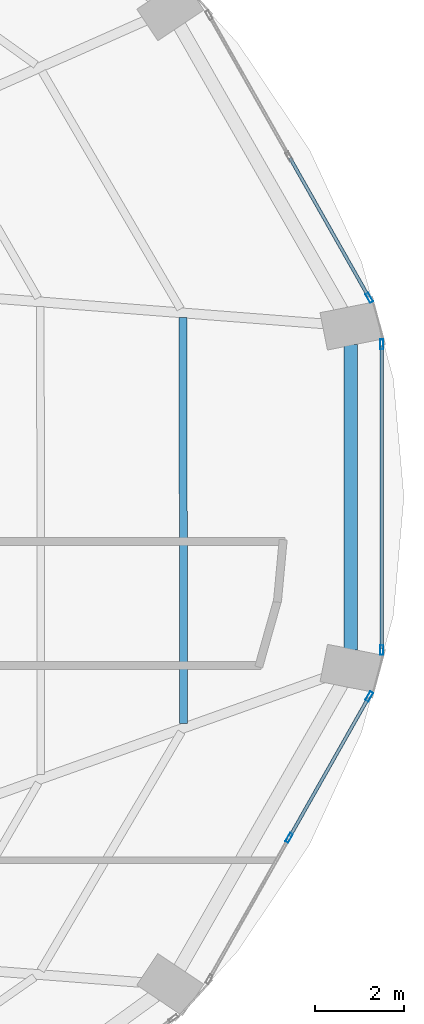
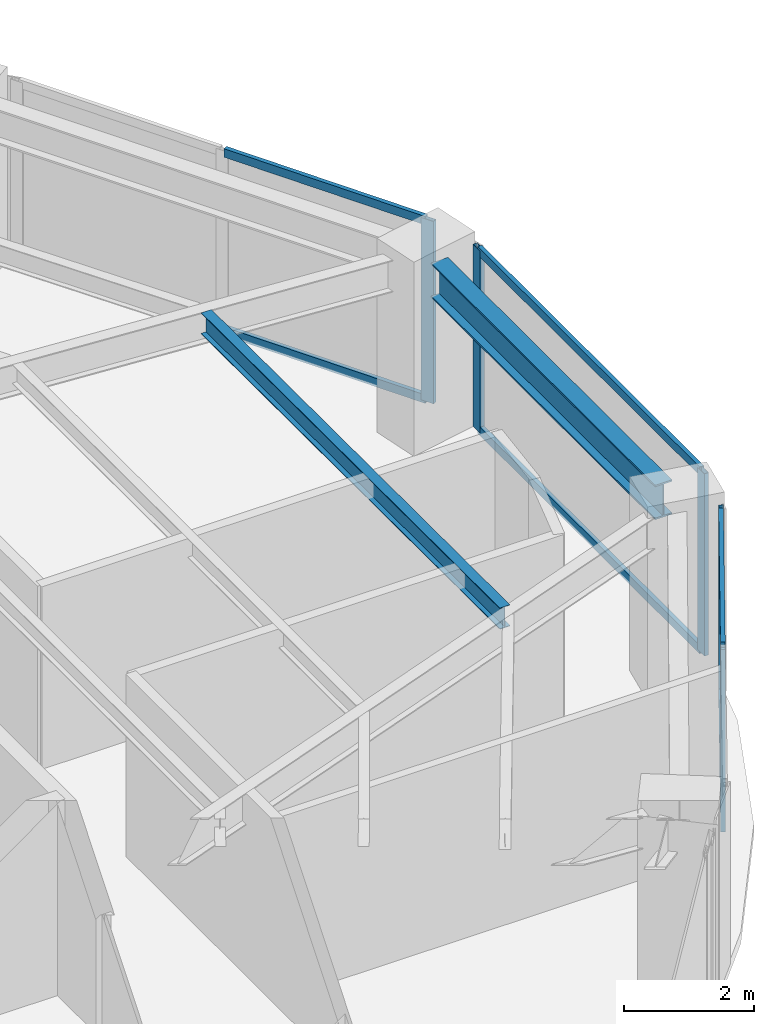
# One storey, part 13 of 25: 11 members, 2 beams, 3 elements without a shape of their own.
"""IFC4 building model written with IfcOpenShell, lengths in metres."""

from ifc_helpers import new_model, si_unit, direction, frame, origin, origin_2d, place, context, subcontext, project, spatial, hollow_rectangle, i_section, extrude, material, layer, layer_set, material_profile, profile_set, type_object, element, aggregate, save


model = new_model("IFC4")

# Units and contexts
model_context = context("Model", 3, precision=1e-05, world=origin(), true_north=direction((0.0, 1.0)))
body_context = subcontext(model_context, "Body", "Model", "MODEL_VIEW")
ifc_project = project(units=[si_unit("LENGTHUNIT", "METRE"), si_unit("AREAUNIT", "SQUARE_METRE"), si_unit("VOLUMEUNIT", "CUBIC_METRE"), si_unit("PLANEANGLEUNIT", "RADIAN"), si_unit("MASSUNIT", "GRAM", prefix="KILO")], contexts=[model_context])

# Site, building, storey
site_placement = place(None, origin())
site = spatial("IfcSite", under=ifc_project, at=site_placement, CompositionType="ELEMENT")
building_placement = place(site_placement, origin())
building = spatial("IfcBuilding", under=site, at=building_placement, Name="Lazwardi Medical Tower", CompositionType="ELEMENT")
storey_placement = place(building_placement, frame((0.0, 0.0, 43.43994140625)))
storey = spatial("IfcBuildingStorey", under=building, at=storey_placement, Name="L10", CompositionType="ELEMENT", Elevation=43.43994140625)

# Beams
ifc_material_1 = material(Name="Steel S355", Category="steel")
ifc_material_profile_1 = material_profile(ifc_material_1, i_section(OverallWidth=0.300048828125, OverallDepth=0.64990234375, WebThickness=0.01611328125, FlangeThickness=0.031005859375, at=origin_2d()), Name="HEB 650")
ifc_profile_set_1 = profile_set([ifc_material_profile_1], Name="Steel S355")
beam_type_1 = type_object("IfcBeamType", Name="BM-RB-Z1", PredefinedType="BEAM", material=ifc_profile_set_1)
beam_1_placement = place(storey_placement, frame((62.800048828125, 26.952392578125, 3.10302734375), z_axis=(0.0, 1.0, 0.0), x_axis=(-1.0, 0.0, 0.0)))
element("IfcBeam", 1, at=beam_1_placement, inside=storey, type_object=beam_type_1, Name="Ring beam RB-02 B04 L10", PredefinedType="BEAM", context=body_context, shape_type="SweptSolid", body=[
    extrude(i_section(OverallWidth=0.300048828125, OverallDepth=0.64990234375, WebThickness=0.01611328125, FlangeThickness=0.031005859375, at=origin_2d()), origin(), (0.0, 0.0, 1.0), 6.895263671875),
])
ifc_material_profile_2 = material_profile(ifc_material_1, i_section(OverallWidth=0.179931640625, OverallDepth=0.39990234375, WebThickness=0.008544921875, FlangeThickness=0.013427734375, at=origin_2d()), Name="IPE 400")
ifc_profile_set_2 = profile_set([ifc_material_profile_2], Name="Steel S355")
beam_type_2 = type_object("IfcBeamType", Name="BM-SJ-01", PredefinedType="JOIST", material=ifc_profile_set_2)
beam_2_placement = place(storey_placement, frame((59.0234375, 25.291015625, 3.22802734375), z_axis=(-0.002077613181, 0.999997841759, 0.0), x_axis=(-0.999997841759, -0.002077613181, 0.0)))
element("IfcBeam", 2, at=beam_2_placement, inside=storey, type_object=beam_type_2, Name="Secondary joist SJ-01 R1 B04 L10", PredefinedType="JOIST", context=body_context, shape_type="SweptSolid", body=[
    extrude(i_section(OverallWidth=0.179931640625, OverallDepth=0.39990234375, WebThickness=0.008544921875, FlangeThickness=0.013427734375, at=origin_2d()), origin(), (0.0, 0.0, 1.0), 9.165771484375),
])

# Curtain wall, members
ifc_material_2 = material(Name="Anodised bronze aluminium and solar control glazing", Category="aluminium")
ifc_layer = layer(ifc_material_2, 0.199951171875)
ifc_layer_set = layer_set([ifc_layer], Name="Anodised bronze aluminium and solar control glazing")
curtain_wall_type = type_object("IfcCurtainWallType", Name="CW-SYS-02", PredefinedType="NOTDEFINED", material=ifc_layer_set)
curtain_wall_1_placement = place(storey_placement, origin())
curtain_wall_1 = element("IfcCurtainWall", 3, at=curtain_wall_1_placement, inside=storey, type_object=curtain_wall_type, Name="L10 Unitised bronze curtain wall CW-02", PredefinedType="NOTDEFINED")
ifc_material_3 = material(Name="Anodised bronze aluminium", Category="aluminium")
ifc_material_profile_3 = material_profile(ifc_material_3, hollow_rectangle(XDim=0.074951171875, YDim=0.219970703125, WallThickness=0.00390625, at=origin_2d()), Name="ALU-MULLION 220x75x4")
ifc_profile_set_3 = profile_set([ifc_material_profile_3], Name="Anodised bronze aluminium")
member_type_1 = type_object("IfcMemberType", Name="CW-MUL-01", PredefinedType="MULLION", material=ifc_profile_set_3)
member_1_placement = place(storey_placement, frame((61.4052734375, 22.70458984375, 0.0), z_axis=(0.0, 0.0, 1.0), x_axis=(-0.870111838823, 0.492854327303, 0.0)))
member_1 = element("IfcMember", 4, at=member_1_placement, type_object=member_type_1, Name="CW-02 mullion 2", PredefinedType="MULLION", context=body_context, shape_type="SweptSolid", body=[
    extrude(hollow_rectangle(XDim=0.074951171875, YDim=0.219970703125, WallThickness=0.00390625, at=origin_2d()), origin(), (0.0, 0.0, 1.0), 3.427978515625),
])
member_2_placement = place(storey_placement, frame((63.214111328125, 25.897705078125, 0.0), z_axis=(0.0, 0.0, 1.0), x_axis=(-0.870111838823, 0.492854327303, 0.0)))
member_2 = element("IfcMember", 5, at=member_2_placement, type_object=member_type_1, Name="CW-02 mullion 3", PredefinedType="MULLION", context=body_context, shape_type="SweptSolid", body=[
    extrude(hollow_rectangle(XDim=0.074951171875, YDim=0.219970703125, WallThickness=0.00390625, at=origin_2d()), origin(), (0.0, 0.0, 1.0), 3.427978515625),
])

curtain_wall_2_placement = place(storey_placement, origin())
curtain_wall_2 = element("IfcCurtainWall", 6, at=curtain_wall_2_placement, inside=storey, type_object=curtain_wall_type, Name="L10 Unitised bronze curtain wall CW-02", PredefinedType="NOTDEFINED")
member_3_placement = place(storey_placement, frame((63.49853515625, 26.946044921875, 0.0), z_axis=(0.0, 0.0, 1.0), x_axis=(-1.0, 0.0, 0.0)))
member_3 = element("IfcMember", 7, at=member_3_placement, type_object=member_type_1, Name="CW-02 mullion 1", PredefinedType="MULLION", context=body_context, shape_type="SweptSolid", body=[
    extrude(hollow_rectangle(XDim=0.074951171875, YDim=0.219970703125, WallThickness=0.00390625, at=origin_2d()), origin(), (0.0, 0.0, 1.0), 3.427978515625),
])
member_4_placement = place(storey_placement, frame((63.49853515625, 33.85400390625, 0.0), z_axis=(0.0, 0.0, 1.0), x_axis=(-1.0, 0.0, 0.0)))
member_4 = element("IfcMember", 8, at=member_4_placement, type_object=member_type_1, Name="CW-02 mullion 2", PredefinedType="MULLION", context=body_context, shape_type="SweptSolid", body=[
    extrude(hollow_rectangle(XDim=0.074951171875, YDim=0.219970703125, WallThickness=0.00390625, at=origin_2d()), origin(), (0.0, 0.0, 1.0), 3.427978515625),
])

# Curtain wall, member
curtain_wall_3_placement = place(storey_placement, origin())
curtain_wall_3 = element("IfcCurtainWall", 9, at=curtain_wall_3_placement, inside=storey, type_object=curtain_wall_type, Name="L10 Unitised bronze curtain wall CW-02", PredefinedType="NOTDEFINED")
member_5_placement = place(storey_placement, frame((63.214111328125, 34.90234375, 0.0), z_axis=(0.0, 0.0, 1.0), x_axis=(-0.870111838823, -0.492854327303, 0.0)))
member_5 = element("IfcMember", 10, at=member_5_placement, type_object=member_type_1, Name="CW-02 mullion 1", PredefinedType="MULLION", context=body_context, shape_type="SweptSolid", body=[
    extrude(hollow_rectangle(XDim=0.074951171875, YDim=0.219970703125, WallThickness=0.00390625, at=origin_2d()), origin(), (0.0, 0.0, 1.0), 3.427978515625),
])

# Member
ifc_material_profile_4 = material_profile(ifc_material_3, hollow_rectangle(XDim=0.074951171875, YDim=0.159912109375, WallThickness=0.00390625, at=origin_2d()), Name="ALU-TRANSOM 160x75x4")
ifc_profile_set_4 = profile_set([ifc_material_profile_4], Name="Anodised bronze aluminium")
member_type_2 = type_object("IfcMemberType", Name="CW-TRN-01", PredefinedType="USERDEFINED", material=ifc_profile_set_4)
member_6_placement = place(storey_placement, frame((61.423828125, 22.737060546875, 0.03759765625), z_axis=(0.49285148925, 0.870113446365, 0.0), x_axis=(-0.870113446365, 0.49285148925, 0.0)))
member_6 = element("IfcMember", 11, at=member_6_placement, type_object=member_type_2, Name="CW-02 transom 2.1", ObjectType="TRANSOM", PredefinedType="USERDEFINED", context=body_context, shape_type="SweptSolid", body=[
    extrude(hollow_rectangle(XDim=0.074951171875, YDim=0.159912109375, WallThickness=0.00390625, at=origin_2d()), origin(), (0.0, 0.0, 1.0), 3.594970703125),
])

member_7_placement = place(storey_placement, frame((61.423828125, 22.737060546875, 3.390625), z_axis=(0.49285148925, 0.870113446365, 0.0), x_axis=(-0.870113446365, 0.49285148925, 0.0)))
member_7 = element("IfcMember", 12, at=member_7_placement, type_object=member_type_2, Name="CW-02 transom 2.2", ObjectType="TRANSOM", PredefinedType="USERDEFINED", context=body_context, shape_type="SweptSolid", body=[
    extrude(hollow_rectangle(XDim=0.074951171875, YDim=0.159912109375, WallThickness=0.00390625, at=origin_2d()), origin(), (0.0, 0.0, 1.0), 3.594970703125),
])

aggregate(curtain_wall_1, [member_1, member_2, member_6, member_7])

member_8_placement = place(storey_placement, frame((63.49853515625, 26.9833984375, 0.03759765625), z_axis=(0.0, 1.0, 0.0), x_axis=(-1.0, 0.0, 0.0)))
member_8 = element("IfcMember", 13, at=member_8_placement, type_object=member_type_2, Name="CW-02 transom 1.1", ObjectType="TRANSOM", PredefinedType="USERDEFINED", context=body_context, shape_type="SweptSolid", body=[
    extrude(hollow_rectangle(XDim=0.074951171875, YDim=0.159912109375, WallThickness=0.00390625, at=origin_2d()), origin(), (0.0, 0.0, 1.0), 6.8330078125),
])

member_9_placement = place(storey_placement, frame((63.49853515625, 26.9833984375, 3.390625), z_axis=(0.0, 1.0, 0.0), x_axis=(-1.0, 0.0, 0.0)))
member_9 = element("IfcMember", 14, at=member_9_placement, type_object=member_type_2, Name="CW-02 transom 1.2", ObjectType="TRANSOM", PredefinedType="USERDEFINED", context=body_context, shape_type="SweptSolid", body=[
    extrude(hollow_rectangle(XDim=0.074951171875, YDim=0.159912109375, WallThickness=0.00390625, at=origin_2d()), origin(), (0.0, 0.0, 1.0), 6.8330078125),
])

aggregate(curtain_wall_2, [member_3, member_4, member_8, member_9])

member_10_placement = place(storey_placement, frame((63.195556640625, 34.93505859375, 0.03759765625), z_axis=(-0.492880614687, 0.870096948429, 0.0), x_axis=(-0.870096948429, -0.492880614687, 0.0)))
member_10 = element("IfcMember", 15, at=member_10_placement, type_object=member_type_2, Name="CW-02 transom 1.1", ObjectType="TRANSOM", PredefinedType="USERDEFINED", context=body_context, shape_type="SweptSolid", body=[
    extrude(hollow_rectangle(XDim=0.074951171875, YDim=0.159912109375, WallThickness=0.00390625, at=origin_2d()), origin(), (0.0, 0.0, 1.0), 3.5947265625),
])

member_11_placement = place(storey_placement, frame((63.195556640625, 34.93505859375, 3.390625), z_axis=(-0.492880614687, 0.870096948429, 0.0), x_axis=(-0.870096948429, -0.492880614687, 0.0)))
member_11 = element("IfcMember", 16, at=member_11_placement, type_object=member_type_2, Name="CW-02 transom 1.2", ObjectType="TRANSOM", PredefinedType="USERDEFINED", context=body_context, shape_type="SweptSolid", body=[
    extrude(hollow_rectangle(XDim=0.074951171875, YDim=0.159912109375, WallThickness=0.00390625, at=origin_2d()), origin(), (0.0, 0.0, 1.0), 3.5947265625),
])

aggregate(curtain_wall_3, [member_5, member_10, member_11])

save(model, "model.ifc")
